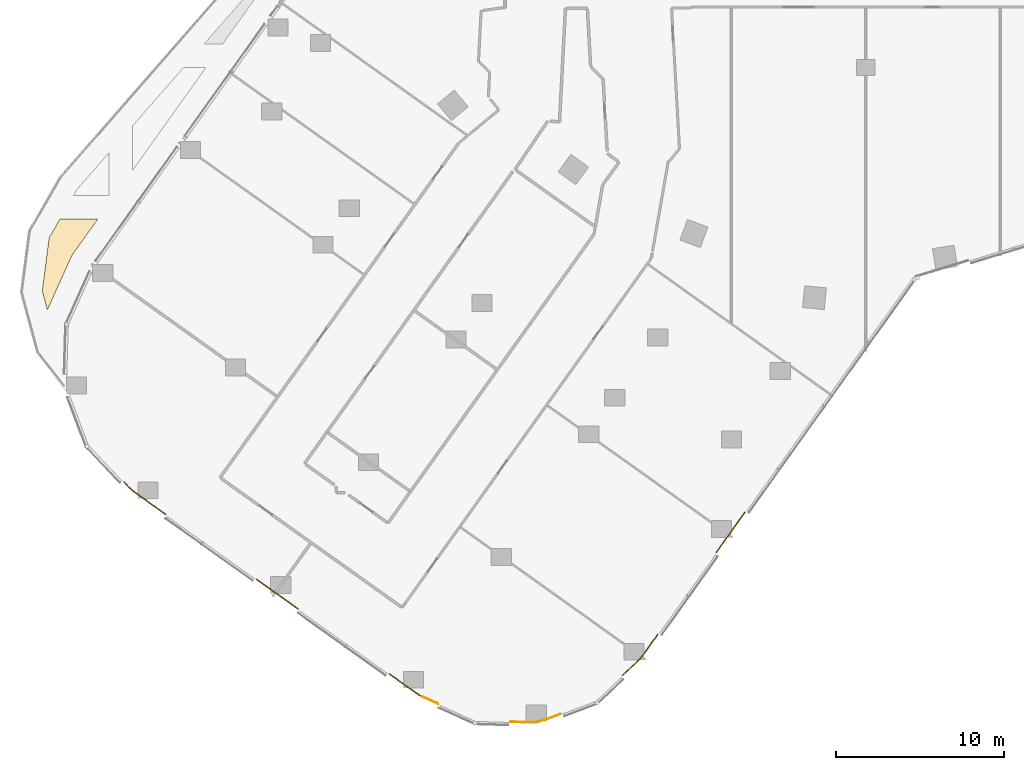
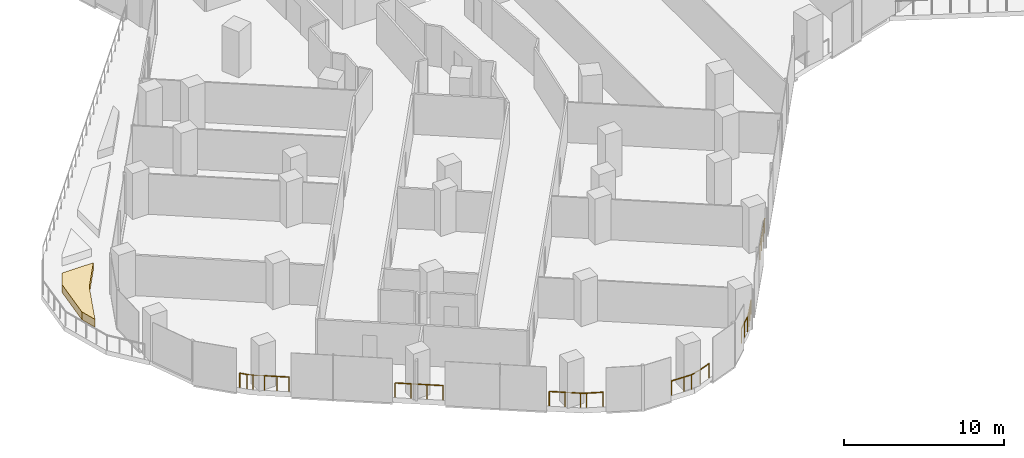
# One storey, part 27 of 30: 12 railings, 1 covering.
"""IFC4 building model written with IfcOpenShell, lengths in metres."""

from ifc_helpers import new_model, si_unit, direction, frame, origin, origin_2d, place, context, subcontext, project, spatial, polyline, circle, outline, extrude, material, layer, layer_set, type_object, element, save


model = new_model("IFC4")

# Units and contexts
model_context = context("Model", 3, precision=1e-05, world=origin(), true_north=direction((0.0, 1.0)))
body_context = subcontext(model_context, "Body", "Model", "MODEL_VIEW")
ifc_project = project(units=[si_unit("LENGTHUNIT", "METRE"), si_unit("AREAUNIT", "SQUARE_METRE"), si_unit("VOLUMEUNIT", "CUBIC_METRE"), si_unit("PLANEANGLEUNIT", "RADIAN"), si_unit("MASSUNIT", "GRAM", prefix="KILO")], contexts=[model_context])

# Site, building, storey
site_placement = place(None, origin())
site = spatial("IfcSite", under=ifc_project, at=site_placement, CompositionType="ELEMENT")
building_placement = place(site_placement, origin())
building = spatial("IfcBuilding", under=site, at=building_placement, Name="Orlundy Tower", CompositionType="ELEMENT")
storey_placement = place(building_placement, frame((0.0, 0.0, 80.699951171875)))
storey = spatial("IfcBuildingStorey", under=building, at=storey_placement, Name="L19", CompositionType="ELEMENT", Elevation=80.699951171875)

# Covering
ifc_material_1 = material(Name="Planted soil in precast concrete trough", Category="concrete")
ifc_layer = layer(ifc_material_1, 0.60009765625)
ifc_layer_set = layer_set([ifc_layer], Name="PLANTER box")
covering_type = type_object("IfcCoveringType", Name="PLANTER box", PredefinedType="USERDEFINED", material=ifc_layer_set)
covering_placement = place(storey_placement, origin())
element("IfcCovering", 1, at=covering_placement, inside=storey, type_object=covering_type, Name="PLANTER L19-20", ObjectType="PLANTER", PredefinedType="USERDEFINED", context=body_context, shape_type="SweptSolid", body=[
    extrude(outline(polyline([(-47.922119140625, -27.0), (-45.66796875, -27.0), (-47.205078125, -29.155029296875), (-48.6689453125, -32.403076171875), (-48.972900390625, -31.27392578125), (-48.56103515625, -28.112060546875), (-47.922119140625, -27.0)])), origin(), (0.0, 0.0, 1.0), 0.60009765625),
])

# Railings
ifc_material_2 = material(Name="Stainless steel bronze finish", Category="steel")
railing_type = type_object("IfcRailingType", Name="TG1 terrace guard", PredefinedType="GUARDRAIL", material=ifc_material_2)
railing_1_placement = place(storey_placement, frame((-12.37841796875, -51.7255859375, 0.0)))
element("IfcRailing", 2, at=railing_1_placement, inside=storey, type_object=railing_type, Name="Guard TG-L19-E05", PredefinedType="GUARDRAIL", context=body_context, shape_type="SweptSolid", body=[
    extrude(circle(Radius=0.02490234375, at=origin_2d()), frame((0.0, 0.0, 1.09521484375), z_axis=(-0.580822541448, -0.814030205426, 0.0), x_axis=(0.814030205426, -0.580822541448, 0.0)), (0.0, 0.0, 1.0), 1.333740234375),
    extrude(circle(Radius=0.02490234375, at=origin_2d()), frame((-0.774658203125, -1.085693359375, 1.09521484375), z_axis=(-0.639691739724, -0.768631562017, 0.0), x_axis=(0.768631562017, -0.639691739724, 0.0)), (0.0, 0.0, 1.0), 0.5849609375),
    extrude(circle(Radius=0.02490234375, at=origin_2d()), frame((-1.14892578125, -1.535400390625, 1.09521484375), z_axis=(-0.7282616525, -0.685299179555, 0.0), x_axis=(0.685299179555, -0.7282616525, 0.0)), (0.0, 0.0, 1.0), 1.278564453125),
    extrude(circle(Radius=0.02001953125, at=origin_2d()), origin(), (0.0, 0.0, 1.0), 1.070068359375),
    extrude(circle(Radius=0.02001953125, at=origin_2d()), frame((-0.38720703125, -0.54296875, 0.0)), (0.0, 0.0, 1.0), 1.070068359375),
    extrude(circle(Radius=0.02001953125, at=origin_2d()), frame((-0.774658203125, -1.085693359375, 0.0)), (0.0, 0.0, 1.0), 1.070068359375),
    extrude(circle(Radius=0.02001953125, at=origin_2d()), frame((-1.14892578125, -1.535400390625, 0.0)), (0.0, 0.0, 1.0), 1.070068359375),
    extrude(circle(Radius=0.02001953125, at=origin_2d()), frame((-1.614501953125, -1.9736328125, 0.0)), (0.0, 0.0, 1.0), 1.070068359375),
    extrude(circle(Radius=0.02001953125, at=origin_2d()), frame((-2.080078125, -2.41162109375, 0.0)), (0.0, 0.0, 1.0), 1.070068359375),
])
railing_2_placement = place(storey_placement, frame((-33.754638671875, -50.1875, 0.0)))
element("IfcRailing", 3, at=railing_2_placement, inside=storey, type_object=railing_type, Name="Guard TG-L19-E010", PredefinedType="GUARDRAIL", context=body_context, shape_type="SweptSolid", body=[
    extrude(circle(Radius=0.02490234375, at=origin_2d()), frame((0.0, 0.0, 1.09521484375), z_axis=(-0.814158509646, 0.580642679426, 0.0), x_axis=(-0.580642679426, -0.814158509646, 0.0)), (0.0, 0.0, 1.0), 3.025634765625),
    extrude(circle(Radius=0.02001953125, at=origin_2d()), origin(), (0.0, 0.0, 1.0), 1.070068359375),
    extrude(circle(Radius=0.02001953125, at=origin_2d()), frame((-0.821044921875, 0.585693359375, 0.0)), (0.0, 0.0, 1.0), 1.070068359375),
    extrude(circle(Radius=0.02001953125, at=origin_2d()), frame((-1.642333984375, 1.171142578125, 0.0)), (0.0, 0.0, 1.0), 1.070068359375),
    extrude(circle(Radius=0.02001953125, at=origin_2d()), frame((-2.46337890625, 1.7568359375, 0.0)), (0.0, 0.0, 1.0), 1.070068359375),
])
railing_3_placement = place(storey_placement, frame((-7.194091796875, -44.45751953125, 0.0)))
element("IfcRailing", 4, at=railing_3_placement, inside=storey, type_object=railing_type, Name="Guard TG-L19-E012", PredefinedType="GUARDRAIL", context=body_context, shape_type="SweptSolid", body=[
    extrude(circle(Radius=0.02490234375, at=origin_2d()), frame((0.0, 0.0, 1.09521484375), z_axis=(-0.580745820308, -0.814084941634, 0.0), x_axis=(0.814084941634, -0.580745820308, 0.0)), (0.0, 0.0, 1.0), 2.90869140625),
    extrude(circle(Radius=0.02001953125, at=origin_2d()), origin(), (0.0, 0.0, 1.0), 1.070068359375),
    extrude(circle(Radius=0.02001953125, at=origin_2d()), frame((-0.56298828125, -0.789306640625, 0.0)), (0.0, 0.0, 1.0), 1.070068359375),
    extrude(circle(Radius=0.02001953125, at=origin_2d()), frame((-1.126220703125, -1.57861328125, 0.0)), (0.0, 0.0, 1.0), 1.070068359375),
    extrude(circle(Radius=0.02001953125, at=origin_2d()), frame((-1.689208984375, -2.367919921875, 0.0)), (0.0, 0.0, 1.0), 1.070068359375),
])
railing_4_placement = place(storey_placement, frame((-41.647216796875, -44.55859375, 0.0)))
element("IfcRailing", 5, at=railing_4_placement, inside=storey, type_object=railing_type, Name="Guard TG-L19-E019", PredefinedType="GUARDRAIL", context=body_context, shape_type="SweptSolid", body=[
    extrude(circle(Radius=0.02490234375, at=origin_2d()), frame((0.0, 0.0, 1.09521484375), z_axis=(-0.81409702696, 0.580728878819, 0.0), x_axis=(-0.580728878819, -0.81409702696, 0.0)), (0.0, 0.0, 1.0), 1.5419921875),
    extrude(circle(Radius=0.02001953125, at=origin_2d()), origin(), (0.0, 0.0, 1.0), 1.070068359375),
    extrude(circle(Radius=0.02001953125, at=origin_2d()), frame((-0.627685546875, 0.44775390625, 0.0)), (0.0, 0.0, 1.0), 1.070068359375),
    extrude(circle(Radius=0.02001953125, at=origin_2d()), frame((-1.25537109375, 0.8955078125, 0.0)), (0.0, 0.0, 1.0), 1.070068359375),
])
railing_5_placement = place(storey_placement, frame((-26.38525390625, -55.396728515625, 0.0)))
element("IfcRailing", 6, at=railing_5_placement, inside=storey, type_object=railing_type, Name="Guard TG-L19-E020", PredefinedType="GUARDRAIL", context=body_context, shape_type="SweptSolid", body=[
    extrude(circle(Radius=0.02490234375, at=origin_2d()), frame((0.0, 0.0, 1.09521484375), z_axis=(-0.867163034265, 0.498024368885, 0.0), x_axis=(-0.498024368885, -0.867163034265, 0.0)), (0.0, 0.0, 1.0), 0.39013671875),
    extrude(circle(Radius=0.02490234375, at=origin_2d()), frame((-0.33837890625, 0.1943359375, 1.09521484375), z_axis=(-0.814139495921, 0.580669338937, 0.0), x_axis=(-0.580669338937, -0.814139495921, 0.0)), (0.0, 0.0, 1.0), 0.974609375),
    extrude(circle(Radius=0.02001953125, at=origin_2d()), origin(), (0.0, 0.0, 1.0), 1.070068359375),
    extrude(circle(Radius=0.02001953125, at=origin_2d()), frame((-0.33837890625, 0.1943359375, 0.0)), (0.0, 0.0, 1.0), 1.070068359375),
    extrude(circle(Radius=0.02001953125, at=origin_2d()), frame((-1.1318359375, 0.76025390625, 0.0)), (0.0, 0.0, 1.0), 1.070068359375),
])
railing_6_placement = place(storey_placement, frame((-18.968994140625, -56.7431640625, 0.0)))
element("IfcRailing", 7, at=railing_6_placement, inside=storey, type_object=railing_type, Name="Guard TG-L19-E023", PredefinedType="GUARDRAIL", context=body_context, shape_type="SweptSolid", body=[
    extrude(circle(Radius=0.02490234375, at=origin_2d()), frame((0.0, 0.0, 1.09521484375), z_axis=(-0.965187319092, -0.261559628125, 0.0), x_axis=(0.261559628125, -0.965187319092, 0.0)), (0.0, 0.0, 1.0), 0.756103515625),
    extrude(circle(Radius=0.02490234375, at=origin_2d()), frame((-0.729736328125, -0.19775390625, 1.09521484375), z_axis=(-0.999538171872, 0.030388204477, 0.0), x_axis=(-0.030388204477, -0.999538171872, 0.0)), (0.0, 0.0, 1.0), 0.522216796875),
    extrude(circle(Radius=0.02001953125, at=origin_2d()), origin(), (0.0, 0.0, 1.0), 1.070068359375),
    extrude(circle(Radius=0.02001953125, at=origin_2d()), frame((-0.729736328125, -0.19775390625, 0.0)), (0.0, 0.0, 1.0), 1.070068359375),
    extrude(circle(Radius=0.02001953125, at=origin_2d()), frame((-1.251708984375, -0.181884765625, 0.0)), (0.0, 0.0, 1.0), 1.070068359375),
])
railing_7_placement = place(storey_placement, frame((-42.902587890625, -43.6630859375, 0.0)))
element("IfcRailing", 8, at=railing_7_placement, inside=storey, type_object=railing_type, Name="Guard TG-L19-E024", PredefinedType="GUARDRAIL", context=body_context, shape_type="SweptSolid", body=[
    extrude(circle(Radius=0.02490234375, at=origin_2d()), frame((0.0, 0.0, 1.09521484375), z_axis=(-0.814028100589, 0.580825491393, 0.0), x_axis=(-0.580825491393, -0.814028100589, 0.0)), (0.0, 0.0, 1.0), 0.7275390625),
    extrude(circle(Radius=0.02490234375, at=origin_2d()), frame((-0.59228515625, 0.422607421875, 1.09521484375), z_axis=(-0.753351385593, 0.657618194567, 0.0), x_axis=(-0.657618194567, -0.753351385593, 0.0)), (0.0, 0.0, 1.0), 0.39013671875),
    extrude(circle(Radius=0.02001953125, at=origin_2d()), origin(), (0.0, 0.0, 1.0), 1.070068359375),
    extrude(circle(Radius=0.02001953125, at=origin_2d()), frame((-0.59228515625, 0.422607421875, 0.0)), (0.0, 0.0, 1.0), 1.070068359375),
    extrude(circle(Radius=0.02001953125, at=origin_2d()), frame((-0.88623046875, 0.67919921875, 0.0)), (0.0, 0.0, 1.0), 1.070068359375),
])
railing_8_placement = place(storey_placement, frame((-25.438232421875, -55.823486328125, 0.0)))
element("IfcRailing", 9, at=railing_8_placement, inside=storey, type_object=railing_type, Name="Guard TG-L19-E025", PredefinedType="GUARDRAIL", context=body_context, shape_type="SweptSolid", body=[
    extrude(circle(Radius=0.02490234375, at=origin_2d()), frame((0.0, 0.0, 1.09521484375), z_axis=(-0.911705888763, 0.410843488929, 0.0), x_axis=(-0.410843488929, -0.911705888763, 0.0)), (0.0, 0.0, 1.0), 1.038818359375),
    extrude(circle(Radius=0.02001953125, at=origin_2d()), origin(), (0.0, 0.0, 1.0), 1.070068359375),
    extrude(circle(Radius=0.02001953125, at=origin_2d()), frame((-0.947021484375, 0.4267578125, 0.0)), (0.0, 0.0, 1.0), 1.070068359375),
])
railing_9_placement = place(storey_placement, frame((-27.51708984375, -54.636474609375, 0.0)))
element("IfcRailing", 10, at=railing_9_placement, inside=storey, type_object=railing_type, Name="Guard TG-L19-E026", PredefinedType="GUARDRAIL", context=body_context, shape_type="SweptSolid", body=[
    extrude(circle(Radius=0.02490234375, at=origin_2d()), frame((0.0, 0.0, 1.09521484375), z_axis=(-0.81406801593, 0.580769545895, 0.0), x_axis=(-0.580769545895, -0.81406801593, 0.0)), (0.0, 0.0, 1.0), 0.98583984375),
    extrude(circle(Radius=0.02001953125, at=origin_2d()), origin(), (0.0, 0.0, 1.0), 1.070068359375),
    extrude(circle(Radius=0.02001953125, at=origin_2d()), frame((-0.802490234375, 0.572509765625, 0.0)), (0.0, 0.0, 1.0), 1.070068359375),
])
railing_10_placement = place(storey_placement, frame((-18.142578125, -56.43017578125, 0.0)))
element("IfcRailing", 11, at=railing_10_placement, inside=storey, type_object=railing_type, Name="Guard TG-L19-E027", PredefinedType="GUARDRAIL", context=body_context, shape_type="SweptSolid", body=[
    extrude(circle(Radius=0.02490234375, at=origin_2d()), frame((0.0, 0.0, 1.09521484375), z_axis=(-0.935177470196, -0.354179473203, 0.0), x_axis=(0.354179473203, -0.935177470196, 0.0)), (0.0, 0.0, 1.0), 0.8837890625),
    extrude(circle(Radius=0.02001953125, at=origin_2d()), origin(), (0.0, 0.0, 1.0), 1.070068359375),
    extrude(circle(Radius=0.02001953125, at=origin_2d()), frame((-0.826416015625, -0.31298828125, 0.0)), (0.0, 0.0, 1.0), 1.070068359375),
])
railing_11_placement = place(storey_placement, frame((-20.22900390625, -56.9248046875, 0.0)))
element("IfcRailing", 12, at=railing_11_placement, inside=storey, type_object=railing_type, Name="Guard TG-L19-E028", PredefinedType="GUARDRAIL", context=body_context, shape_type="SweptSolid", body=[
    extrude(circle(Radius=0.02490234375, at=origin_2d()), frame((0.0, 0.0, 1.09521484375), z_axis=(-0.999529182796, 0.030682450025, 0.0), x_axis=(-0.030682450025, -0.999529182796, 0.0)), (0.0, 0.0, 1.0), 0.88330078125),
    extrude(circle(Radius=0.02001953125, at=origin_2d()), origin(), (0.0, 0.0, 1.0), 1.070068359375),
    extrude(circle(Radius=0.02001953125, at=origin_2d()), frame((-0.8828125, 0.027099609375, 0.0)), (0.0, 0.0, 1.0), 1.070068359375),
])
railing_12_placement = place(storey_placement, frame((-43.788818359375, -42.98388671875, 0.0)))
element("IfcRailing", 13, at=railing_12_placement, inside=storey, type_object=railing_type, Name="Guard TG-L19-E030", PredefinedType="GUARDRAIL", context=body_context, shape_type="SweptSolid", body=[
    extrude(circle(Radius=0.02490234375, at=origin_2d()), frame((0.0, 0.0, 1.09521484375), z_axis=(-0.685315705505, 0.728246101114, 0.0), x_axis=(-0.728246101114, -0.685315705505, 0.0)), (0.0, 0.0, 1.0), 0.46630859375),
    extrude(circle(Radius=0.02001953125, at=origin_2d()), origin(), (0.0, 0.0, 1.0), 1.070068359375),
    extrude(circle(Radius=0.02001953125, at=origin_2d()), frame((-0.319580078125, 0.339599609375, 0.0)), (0.0, 0.0, 1.0), 1.070068359375),
])

save(model, "model.ifc")
